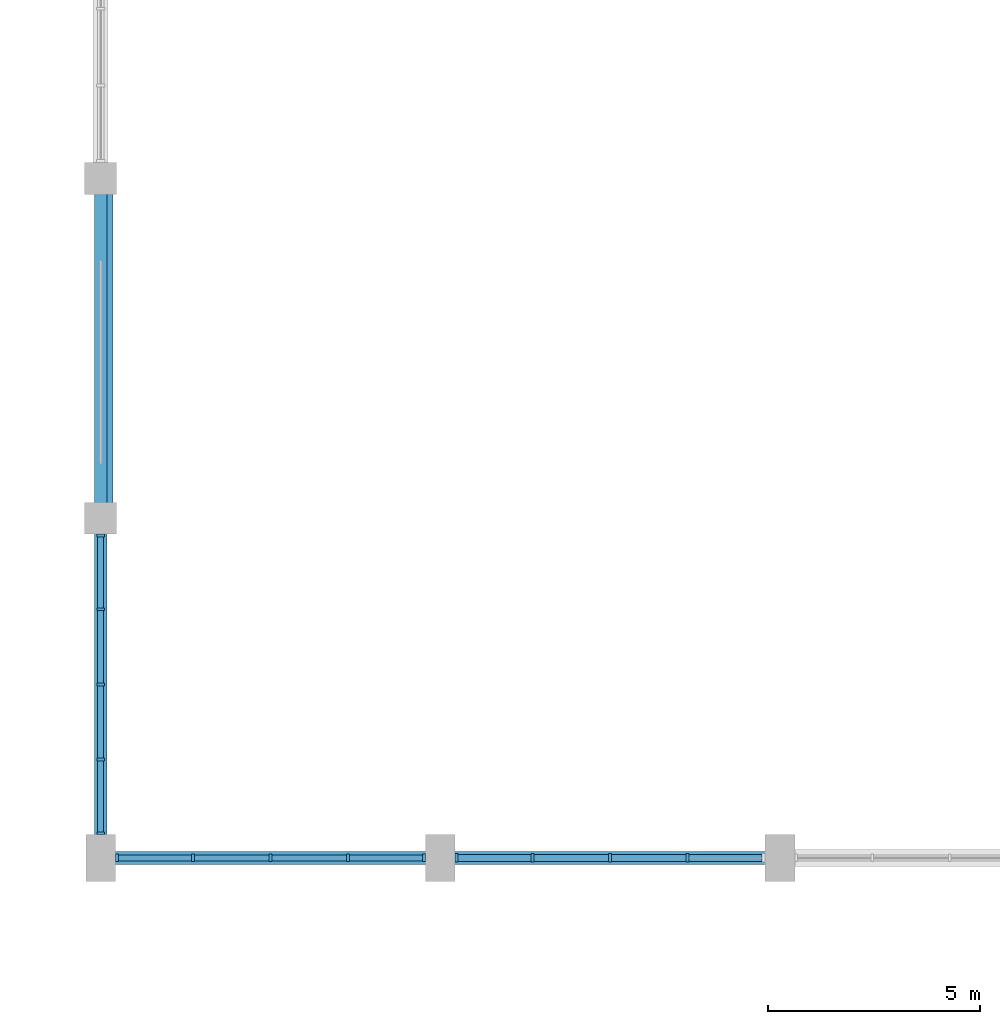
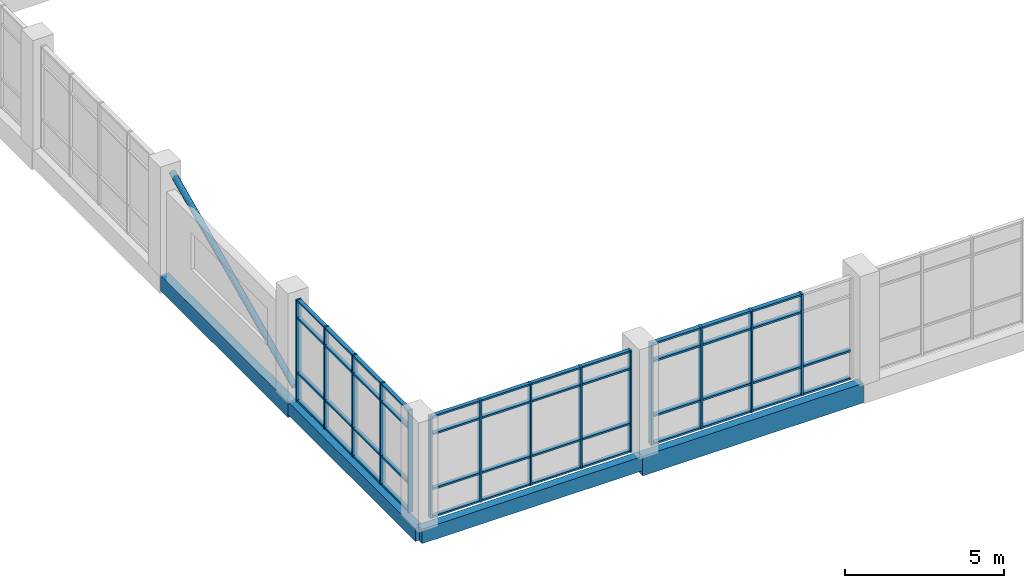
# One storey, part 2 of 72: 61 members, 4 beams, 3 elements without a shape of their own.
"""IFC4 building model written with IfcOpenShell, lengths in metres."""

from ifc_helpers import new_model, si_unit, direction, frame, origin, origin_2d, place, context, subcontext, project, spatial, rectangle, hollow_circle, extrude, material, material_profile, profile_set, type_object, element, aggregate, save


model = new_model("IFC4")

# Units and contexts
model_context = context("Model", 3, precision=1e-05, world=origin(), true_north=direction((0.0, 1.0)))
body_context = subcontext(model_context, "Body", "Model", "MODEL_VIEW")
ifc_project = project(units=[si_unit("LENGTHUNIT", "METRE"), si_unit("AREAUNIT", "SQUARE_METRE"), si_unit("VOLUMEUNIT", "CUBIC_METRE"), si_unit("PLANEANGLEUNIT", "RADIAN"), si_unit("MASSUNIT", "GRAM", prefix="KILO")], contexts=[model_context])

# Site, building, storey
site_placement = place(None, origin())
site = spatial("IfcSite", under=ifc_project, at=site_placement, CompositionType="ELEMENT")
building_placement = place(site_placement, origin())
building = spatial("IfcBuilding", under=site, at=building_placement, Name="Tenunan Teduh Sports Hall", CompositionType="ELEMENT")
storey_placement = place(building_placement, frame((0.0, 0.0, 15.0)))
storey = spatial("IfcBuildingStorey", under=building, at=storey_placement, Name="L03", CompositionType="ELEMENT", Elevation=15.0)

# Beams
ifc_material_1 = material(Name="Concrete C40/50", Category="concrete")
ifc_material_profile_1 = material_profile(ifc_material_1, rectangle(XDim=0.300048828125, YDim=0.5, at=origin_2d()), Name="RCB 300x500")
ifc_profile_set_1 = profile_set([ifc_material_profile_1], Name="Concrete C40/50")
beam_type_1 = type_object("IfcBeamType", Name="BM-RC-300x500", PredefinedType="BEAM", material=ifc_profile_set_1)
beam_1_placement = place(storey_placement, frame((6.0, 14.0, -0.489990234375), z_axis=(0.0, 1.0, 0.0), x_axis=(-1.0, 0.0, 0.0)))
element("IfcBeam", 1, at=beam_1_placement, inside=storey, type_object=beam_type_1, Name="BM-B-01-L03-1877", PredefinedType="BEAM", context=body_context, shape_type="SweptSolid", body=[
    extrude(rectangle(XDim=0.300048828125, YDim=0.5, at=origin_2d()), origin(), (0.0, 0.0, 1.0), 8.0),
])
ifc_material_2 = material(Name="Concrete C40/50", Category="concrete")
ifc_material_profile_2 = material_profile(ifc_material_2, rectangle(XDim=0.300048828125, YDim=0.550048828125, at=origin_2d()), Name="RCB 300x550")
ifc_profile_set_2 = profile_set([ifc_material_profile_2], Name="Concrete C40/50")
beam_type_2 = type_object("IfcBeamType", Name="BM-RC-300x550", PredefinedType="BEAM", material=ifc_profile_set_2)
beam_2_placement = place(storey_placement, frame((6.0, 14.0, -0.514892578125), z_axis=(1.0, 0.0, 0.0), x_axis=(0.0, 1.0, 0.0)))
element("IfcBeam", 2, at=beam_2_placement, inside=storey, type_object=beam_type_2, Name="BM-B-02-L03-1810", PredefinedType="BEAM", context=body_context, shape_type="SweptSolid", body=[
    extrude(rectangle(XDim=0.300048828125, YDim=0.550048828125, at=origin_2d()), origin(), (0.0, 0.0, 1.0), 8.0),
])
ifc_material_3 = material(Name="Concrete C40/50", Category="concrete")
ifc_material_profile_3 = material_profile(ifc_material_3, rectangle(XDim=0.300048828125, YDim=0.60009765625, at=origin_2d()), Name="RCB 300x600")
ifc_profile_set_3 = profile_set([ifc_material_profile_3], Name="Concrete C40/50")
beam_type_3 = type_object("IfcBeamType", Name="BM-RC-300x600", PredefinedType="BEAM", material=ifc_profile_set_3)
beam_3_placement = place(storey_placement, frame((6.0, 22.0, -0.5400390625), z_axis=(0.0, 1.0, 0.0), x_axis=(-1.0, 0.0, 0.0)))
element("IfcBeam", 3, at=beam_3_placement, inside=storey, type_object=beam_type_3, Name="BM-B-03-L03-1878", PredefinedType="BEAM", context=body_context, shape_type="SweptSolid", body=[
    extrude(rectangle(XDim=0.300048828125, YDim=0.60009765625, at=origin_2d()), origin(), (0.0, 0.0, 1.0), 8.0),
])
ifc_material_4 = material(Name="Concrete C40/50", Category="concrete")
ifc_material_profile_4 = material_profile(ifc_material_4, rectangle(XDim=0.300048828125, YDim=0.75, at=origin_2d()), Name="SPB 300x750")
ifc_profile_set_4 = profile_set([ifc_material_profile_4], Name="Concrete C40/50")
beam_type_4 = type_object("IfcBeamType", Name="BM-SP-300x750", PredefinedType="SPANDREL", material=ifc_profile_set_4)
beam_4_placement = place(storey_placement, frame((14.0, 14.0, -0.614990234375), z_axis=(1.0, 0.0, 0.0), x_axis=(0.0, 1.0, 0.0)))
element("IfcBeam", 4, at=beam_4_placement, inside=storey, type_object=beam_type_4, Name="BM-SP-01-L03-1811", PredefinedType="SPANDREL", context=body_context, shape_type="SweptSolid", body=[
    extrude(rectangle(XDim=0.300048828125, YDim=0.75, at=origin_2d()), origin(), (0.0, 0.0, 1.0), 8.0),
])

# Curtain wall, members
ifc_material_5 = material(Name="Anodised aluminium", Category="aluminium")
curtain_wall_type = type_object("IfcCurtainWallType", Name="CW-UNIT-2", PredefinedType="NOTDEFINED", material=ifc_material_5)
curtain_wall_1_placement = place(storey_placement, origin())
curtain_wall_1 = element("IfcCurtainWall", 5, at=curtain_wall_1_placement, inside=storey, type_object=curtain_wall_type, Name="CW-CWM-175-L03-074", PredefinedType="NOTDEFINED")
ifc_material_6 = material(Name="Anodised aluminium", Category="aluminium")
ifc_material_profile_5 = material_profile(ifc_material_6, rectangle(XDim=0.06494140625, YDim=0.175048828125, at=origin_2d()), Name="CWM 65x175")
ifc_profile_set_5 = profile_set([ifc_material_profile_5], Name="Anodised aluminium")
member_type_1 = type_object("IfcMemberType", Name="CWM-175", PredefinedType="MULLION", material=ifc_profile_set_5)
member_1_placement = place(storey_placement, frame((6.382568359375, 14.0, 0.0), z_axis=(0.0, 0.0, 1.0), x_axis=(1.0, 0.0, 0.0)))
member_1 = element("IfcMember", 6, at=member_1_placement, type_object=member_type_1, Name="CW-02 mullion 1", PredefinedType="MULLION", context=body_context, shape_type="SweptSolid", body=[
    extrude(rectangle(XDim=0.06494140625, YDim=0.175048828125, at=origin_2d()), origin(), (0.0, 0.0, 1.0), 3.89990234375),
])
member_2_placement = place(storey_placement, frame((8.175048828125, 14.0, 0.0), z_axis=(0.0, 0.0, 1.0), x_axis=(1.0, 0.0, 0.0)))
member_2 = element("IfcMember", 7, at=member_2_placement, type_object=member_type_1, Name="CW-02 mullion 2", PredefinedType="MULLION", context=body_context, shape_type="SweptSolid", body=[
    extrude(rectangle(XDim=0.06494140625, YDim=0.175048828125, at=origin_2d()), origin(), (0.0, 0.0, 1.0), 3.89990234375),
])
member_3_placement = place(storey_placement, frame((10.0, 14.0, 0.0), z_axis=(0.0, 0.0, 1.0), x_axis=(1.0, 0.0, 0.0)))
member_3 = element("IfcMember", 8, at=member_3_placement, type_object=member_type_1, Name="CW-02 mullion 3", PredefinedType="MULLION", context=body_context, shape_type="SweptSolid", body=[
    extrude(rectangle(XDim=0.06494140625, YDim=0.175048828125, at=origin_2d()), origin(), (0.0, 0.0, 1.0), 3.89990234375),
])
member_4_placement = place(storey_placement, frame((11.824951171875, 14.0, 0.0), z_axis=(0.0, 0.0, 1.0), x_axis=(1.0, 0.0, 0.0)))
member_4 = element("IfcMember", 9, at=member_4_placement, type_object=member_type_1, Name="CW-02 mullion 4", PredefinedType="MULLION", context=body_context, shape_type="SweptSolid", body=[
    extrude(rectangle(XDim=0.06494140625, YDim=0.175048828125, at=origin_2d()), origin(), (0.0, 0.0, 1.0), 3.89990234375),
])
member_5_placement = place(storey_placement, frame((13.617431640625, 14.0, 0.0), z_axis=(0.0, 0.0, 1.0), x_axis=(1.0, 0.0, 0.0)))
member_5 = element("IfcMember", 10, at=member_5_placement, type_object=member_type_1, Name="CW-02 mullion 5", PredefinedType="MULLION", context=body_context, shape_type="SweptSolid", body=[
    extrude(rectangle(XDim=0.06494140625, YDim=0.175048828125, at=origin_2d()), origin(), (0.0, 0.0, 1.0), 3.89990234375),
])

curtain_wall_2_placement = place(storey_placement, origin())
curtain_wall_2 = element("IfcCurtainWall", 11, at=curtain_wall_2_placement, inside=storey, type_object=curtain_wall_type, Name="CW-CWM-175-L03-086", PredefinedType="NOTDEFINED")
member_6_placement = place(storey_placement, frame((6.0, 14.58251953125, 0.0), z_axis=(0.0, 0.0, 1.0), x_axis=(0.0, 1.0, 0.0)))
member_6 = element("IfcMember", 12, at=member_6_placement, type_object=member_type_1, Name="CW-02 mullion 1", PredefinedType="MULLION", context=body_context, shape_type="SweptSolid", body=[
    extrude(rectangle(XDim=0.06494140625, YDim=0.175048828125, at=origin_2d()), origin(), (0.0, 0.0, 1.0), 3.89990234375),
])
member_7_placement = place(storey_placement, frame((6.0, 16.31884765625, 0.0), z_axis=(0.0, 0.0, 1.0), x_axis=(0.0, 1.0, 0.0)))
member_7 = element("IfcMember", 13, at=member_7_placement, type_object=member_type_1, Name="CW-02 mullion 2", PredefinedType="MULLION", context=body_context, shape_type="SweptSolid", body=[
    extrude(rectangle(XDim=0.06494140625, YDim=0.175048828125, at=origin_2d()), origin(), (0.0, 0.0, 1.0), 3.89990234375),
])
member_8_placement = place(storey_placement, frame((6.0, 18.08740234375, 0.0), z_axis=(0.0, 0.0, 1.0), x_axis=(0.0, 1.0, 0.0)))
member_8 = element("IfcMember", 14, at=member_8_placement, type_object=member_type_1, Name="CW-02 mullion 3", PredefinedType="MULLION", context=body_context, shape_type="SweptSolid", body=[
    extrude(rectangle(XDim=0.06494140625, YDim=0.175048828125, at=origin_2d()), origin(), (0.0, 0.0, 1.0), 3.89990234375),
])
member_9_placement = place(storey_placement, frame((6.0, 19.856201171875, 0.0), z_axis=(0.0, 0.0, 1.0), x_axis=(0.0, 1.0, 0.0)))
member_9 = element("IfcMember", 15, at=member_9_placement, type_object=member_type_1, Name="CW-02 mullion 4", PredefinedType="MULLION", context=body_context, shape_type="SweptSolid", body=[
    extrude(rectangle(XDim=0.06494140625, YDim=0.175048828125, at=origin_2d()), origin(), (0.0, 0.0, 1.0), 3.89990234375),
])
member_10_placement = place(storey_placement, frame((6.0, 21.592529296875, 0.0), z_axis=(0.0, 0.0, 1.0), x_axis=(0.0, 1.0, 0.0)))
member_10 = element("IfcMember", 16, at=member_10_placement, type_object=member_type_1, Name="CW-02 mullion 5", PredefinedType="MULLION", context=body_context, shape_type="SweptSolid", body=[
    extrude(rectangle(XDim=0.06494140625, YDim=0.175048828125, at=origin_2d()), origin(), (0.0, 0.0, 1.0), 3.89990234375),
])

curtain_wall_3_placement = place(storey_placement, origin())
curtain_wall_3 = element("IfcCurtainWall", 17, at=curtain_wall_3_placement, inside=storey, type_object=curtain_wall_type, Name="CW-CWM-200-L03-076", PredefinedType="NOTDEFINED")
ifc_material_7 = material(Name="Anodised aluminium", Category="aluminium")
ifc_material_profile_6 = material_profile(ifc_material_7, rectangle(XDim=0.070068359375, YDim=0.199951171875, at=origin_2d()), Name="CWM 70x200")
ifc_profile_set_6 = profile_set([ifc_material_profile_6], Name="Anodised aluminium")
member_type_2 = type_object("IfcMemberType", Name="CWM-200", PredefinedType="MULLION", material=ifc_profile_set_6)
member_11_placement = place(storey_placement, frame((14.385009765625, 14.0, 0.0), z_axis=(0.0, 0.0, 1.0), x_axis=(1.0, 0.0, 0.0)))
member_11 = element("IfcMember", 18, at=member_11_placement, type_object=member_type_2, Name="CW-02 mullion 1", PredefinedType="MULLION", context=body_context, shape_type="SweptSolid", body=[
    extrude(rectangle(XDim=0.070068359375, YDim=0.199951171875, at=origin_2d()), origin(), (0.0, 0.0, 1.0), 3.89990234375),
])
member_12_placement = place(storey_placement, frame((16.175048828125, 14.0, 0.0), z_axis=(0.0, 0.0, 1.0), x_axis=(1.0, 0.0, 0.0)))
member_12 = element("IfcMember", 19, at=member_12_placement, type_object=member_type_2, Name="CW-02 mullion 2", PredefinedType="MULLION", context=body_context, shape_type="SweptSolid", body=[
    extrude(rectangle(XDim=0.070068359375, YDim=0.199951171875, at=origin_2d()), origin(), (0.0, 0.0, 1.0), 3.89990234375),
])
member_13_placement = place(storey_placement, frame((18.0, 14.0, 0.0), z_axis=(0.0, 0.0, 1.0), x_axis=(1.0, 0.0, 0.0)))
member_13 = element("IfcMember", 20, at=member_13_placement, type_object=member_type_2, Name="CW-02 mullion 3", PredefinedType="MULLION", context=body_context, shape_type="SweptSolid", body=[
    extrude(rectangle(XDim=0.070068359375, YDim=0.199951171875, at=origin_2d()), origin(), (0.0, 0.0, 1.0), 3.89990234375),
])
member_14_placement = place(storey_placement, frame((19.824951171875, 14.0, 0.0), z_axis=(0.0, 0.0, 1.0), x_axis=(1.0, 0.0, 0.0)))
member_14 = element("IfcMember", 21, at=member_14_placement, type_object=member_type_2, Name="CW-02 mullion 4", PredefinedType="MULLION", context=body_context, shape_type="SweptSolid", body=[
    extrude(rectangle(XDim=0.070068359375, YDim=0.199951171875, at=origin_2d()), origin(), (0.0, 0.0, 1.0), 3.89990234375),
])

# Member
ifc_material_8 = material(Name="Anodised aluminium", Category="aluminium")
ifc_material_profile_7 = material_profile(ifc_material_8, rectangle(XDim=0.06494140625, YDim=0.139892578125, at=origin_2d()), Name="CWT 65x140")
ifc_profile_set_7 = profile_set([ifc_material_profile_7], Name="Anodised aluminium")
member_type_3 = type_object("IfcMemberType", Name="CWT-150", PredefinedType="USERDEFINED", material=ifc_profile_set_7)
member_15_placement = place(storey_placement, frame((6.4150390625, 14.0, 0.032470703125), z_axis=(1.0, 0.0, 0.0), x_axis=(0.0, 0.0, 1.0)))
member_15 = element("IfcMember", 22, at=member_15_placement, type_object=member_type_3, Name="CW-02 transom 1.1", ObjectType="TRANSOM", PredefinedType="USERDEFINED", context=body_context, shape_type="SweptSolid", body=[
    extrude(rectangle(XDim=0.06494140625, YDim=0.139892578125, at=origin_2d()), origin(), (0.0, 0.0, 1.0), 1.7275390625),
])

member_16_placement = place(storey_placement, frame((6.4150390625, 14.0, 1.10009765625), z_axis=(1.0, 0.0, 0.0), x_axis=(0.0, 0.0, 1.0)))
member_16 = element("IfcMember", 23, at=member_16_placement, type_object=member_type_3, Name="CW-02 transom 1.2", ObjectType="TRANSOM", PredefinedType="USERDEFINED", context=body_context, shape_type="SweptSolid", body=[
    extrude(rectangle(XDim=0.06494140625, YDim=0.139892578125, at=origin_2d()), origin(), (0.0, 0.0, 1.0), 1.7275390625),
])

member_17_placement = place(storey_placement, frame((6.4150390625, 14.0, 3.199951171875), z_axis=(1.0, 0.0, 0.0), x_axis=(0.0, 0.0, 1.0)))
member_17 = element("IfcMember", 24, at=member_17_placement, type_object=member_type_3, Name="CW-02 transom 1.3", ObjectType="TRANSOM", PredefinedType="USERDEFINED", context=body_context, shape_type="SweptSolid", body=[
    extrude(rectangle(XDim=0.06494140625, YDim=0.139892578125, at=origin_2d()), origin(), (0.0, 0.0, 1.0), 1.7275390625),
])

member_18_placement = place(storey_placement, frame((6.4150390625, 14.0, 3.867431640625), z_axis=(1.0, 0.0, 0.0), x_axis=(0.0, 0.0, 1.0)))
member_18 = element("IfcMember", 25, at=member_18_placement, type_object=member_type_3, Name="CW-02 transom 1.4", ObjectType="TRANSOM", PredefinedType="USERDEFINED", context=body_context, shape_type="SweptSolid", body=[
    extrude(rectangle(XDim=0.06494140625, YDim=0.139892578125, at=origin_2d()), origin(), (0.0, 0.0, 1.0), 1.7275390625),
])

member_19_placement = place(storey_placement, frame((8.20751953125, 14.0, 0.032470703125), z_axis=(1.0, 0.0, 0.0), x_axis=(0.0, 0.0, 1.0)))
member_19 = element("IfcMember", 26, at=member_19_placement, type_object=member_type_3, Name="CW-02 transom 2.1", ObjectType="TRANSOM", PredefinedType="USERDEFINED", context=body_context, shape_type="SweptSolid", body=[
    extrude(rectangle(XDim=0.06494140625, YDim=0.139892578125, at=origin_2d()), origin(), (0.0, 0.0, 1.0), 1.760009765625),
])

member_20_placement = place(storey_placement, frame((8.20751953125, 14.0, 1.10009765625), z_axis=(1.0, 0.0, 0.0), x_axis=(0.0, 0.0, 1.0)))
member_20 = element("IfcMember", 27, at=member_20_placement, type_object=member_type_3, Name="CW-02 transom 2.2", ObjectType="TRANSOM", PredefinedType="USERDEFINED", context=body_context, shape_type="SweptSolid", body=[
    extrude(rectangle(XDim=0.06494140625, YDim=0.139892578125, at=origin_2d()), origin(), (0.0, 0.0, 1.0), 1.760009765625),
])

member_21_placement = place(storey_placement, frame((8.20751953125, 14.0, 3.199951171875), z_axis=(1.0, 0.0, 0.0), x_axis=(0.0, 0.0, 1.0)))
member_21 = element("IfcMember", 28, at=member_21_placement, type_object=member_type_3, Name="CW-02 transom 2.3", ObjectType="TRANSOM", PredefinedType="USERDEFINED", context=body_context, shape_type="SweptSolid", body=[
    extrude(rectangle(XDim=0.06494140625, YDim=0.139892578125, at=origin_2d()), origin(), (0.0, 0.0, 1.0), 1.760009765625),
])

member_22_placement = place(storey_placement, frame((8.20751953125, 14.0, 3.867431640625), z_axis=(1.0, 0.0, 0.0), x_axis=(0.0, 0.0, 1.0)))
member_22 = element("IfcMember", 29, at=member_22_placement, type_object=member_type_3, Name="CW-02 transom 2.4", ObjectType="TRANSOM", PredefinedType="USERDEFINED", context=body_context, shape_type="SweptSolid", body=[
    extrude(rectangle(XDim=0.06494140625, YDim=0.139892578125, at=origin_2d()), origin(), (0.0, 0.0, 1.0), 1.760009765625),
])

member_23_placement = place(storey_placement, frame((10.032470703125, 14.0, 0.032470703125), z_axis=(1.0, 0.0, 0.0), x_axis=(0.0, 0.0, 1.0)))
member_23 = element("IfcMember", 30, at=member_23_placement, type_object=member_type_3, Name="CW-02 transom 3.1", ObjectType="TRANSOM", PredefinedType="USERDEFINED", context=body_context, shape_type="SweptSolid", body=[
    extrude(rectangle(XDim=0.06494140625, YDim=0.139892578125, at=origin_2d()), origin(), (0.0, 0.0, 1.0), 1.760009765625),
])

member_24_placement = place(storey_placement, frame((10.032470703125, 14.0, 1.10009765625), z_axis=(1.0, 0.0, 0.0), x_axis=(0.0, 0.0, 1.0)))
member_24 = element("IfcMember", 31, at=member_24_placement, type_object=member_type_3, Name="CW-02 transom 3.2", ObjectType="TRANSOM", PredefinedType="USERDEFINED", context=body_context, shape_type="SweptSolid", body=[
    extrude(rectangle(XDim=0.06494140625, YDim=0.139892578125, at=origin_2d()), origin(), (0.0, 0.0, 1.0), 1.760009765625),
])

member_25_placement = place(storey_placement, frame((10.032470703125, 14.0, 3.199951171875), z_axis=(1.0, 0.0, 0.0), x_axis=(0.0, 0.0, 1.0)))
member_25 = element("IfcMember", 32, at=member_25_placement, type_object=member_type_3, Name="CW-02 transom 3.3", ObjectType="TRANSOM", PredefinedType="USERDEFINED", context=body_context, shape_type="SweptSolid", body=[
    extrude(rectangle(XDim=0.06494140625, YDim=0.139892578125, at=origin_2d()), origin(), (0.0, 0.0, 1.0), 1.760009765625),
])

member_26_placement = place(storey_placement, frame((10.032470703125, 14.0, 3.867431640625), z_axis=(1.0, 0.0, 0.0), x_axis=(0.0, 0.0, 1.0)))
member_26 = element("IfcMember", 33, at=member_26_placement, type_object=member_type_3, Name="CW-02 transom 3.4", ObjectType="TRANSOM", PredefinedType="USERDEFINED", context=body_context, shape_type="SweptSolid", body=[
    extrude(rectangle(XDim=0.06494140625, YDim=0.139892578125, at=origin_2d()), origin(), (0.0, 0.0, 1.0), 1.760009765625),
])

member_27_placement = place(storey_placement, frame((11.857421875, 14.0, 0.032470703125), z_axis=(1.0, 0.0, 0.0), x_axis=(0.0, 0.0, 1.0)))
member_27 = element("IfcMember", 34, at=member_27_placement, type_object=member_type_3, Name="CW-02 transom 4.1", ObjectType="TRANSOM", PredefinedType="USERDEFINED", context=body_context, shape_type="SweptSolid", body=[
    extrude(rectangle(XDim=0.06494140625, YDim=0.139892578125, at=origin_2d()), origin(), (0.0, 0.0, 1.0), 1.7275390625),
])

member_28_placement = place(storey_placement, frame((11.857421875, 14.0, 1.10009765625), z_axis=(1.0, 0.0, 0.0), x_axis=(0.0, 0.0, 1.0)))
member_28 = element("IfcMember", 35, at=member_28_placement, type_object=member_type_3, Name="CW-02 transom 4.2", ObjectType="TRANSOM", PredefinedType="USERDEFINED", context=body_context, shape_type="SweptSolid", body=[
    extrude(rectangle(XDim=0.06494140625, YDim=0.139892578125, at=origin_2d()), origin(), (0.0, 0.0, 1.0), 1.7275390625),
])

member_29_placement = place(storey_placement, frame((11.857421875, 14.0, 3.199951171875), z_axis=(1.0, 0.0, 0.0), x_axis=(0.0, 0.0, 1.0)))
member_29 = element("IfcMember", 36, at=member_29_placement, type_object=member_type_3, Name="CW-02 transom 4.3", ObjectType="TRANSOM", PredefinedType="USERDEFINED", context=body_context, shape_type="SweptSolid", body=[
    extrude(rectangle(XDim=0.06494140625, YDim=0.139892578125, at=origin_2d()), origin(), (0.0, 0.0, 1.0), 1.7275390625),
])

member_30_placement = place(storey_placement, frame((11.857421875, 14.0, 3.867431640625), z_axis=(1.0, 0.0, 0.0), x_axis=(0.0, 0.0, 1.0)))
member_30 = element("IfcMember", 37, at=member_30_placement, type_object=member_type_3, Name="CW-02 transom 4.4", ObjectType="TRANSOM", PredefinedType="USERDEFINED", context=body_context, shape_type="SweptSolid", body=[
    extrude(rectangle(XDim=0.06494140625, YDim=0.139892578125, at=origin_2d()), origin(), (0.0, 0.0, 1.0), 1.7275390625),
])

aggregate(curtain_wall_1, [member_1, member_2, member_3, member_4, member_5, member_15, member_16, member_17, member_18, member_19, member_20, member_21, member_22, member_23, member_24, member_25, member_26, member_27, member_28, member_29, member_30])

member_31_placement = place(storey_placement, frame((6.0, 14.614990234375, 0.032470703125), z_axis=(0.0, 1.0, 0.0), x_axis=(0.0, 0.0, 1.0)))
member_31 = element("IfcMember", 38, at=member_31_placement, type_object=member_type_3, Name="CW-02 transom 1.1", ObjectType="TRANSOM", PredefinedType="USERDEFINED", context=body_context, shape_type="SweptSolid", body=[
    extrude(rectangle(XDim=0.06494140625, YDim=0.139892578125, at=origin_2d()), origin(), (0.0, 0.0, 1.0), 1.671142578125),
])

member_32_placement = place(storey_placement, frame((6.0, 14.614990234375, 1.10009765625), z_axis=(0.0, 1.0, 0.0), x_axis=(0.0, 0.0, 1.0)))
member_32 = element("IfcMember", 39, at=member_32_placement, type_object=member_type_3, Name="CW-02 transom 1.2", ObjectType="TRANSOM", PredefinedType="USERDEFINED", context=body_context, shape_type="SweptSolid", body=[
    extrude(rectangle(XDim=0.06494140625, YDim=0.139892578125, at=origin_2d()), origin(), (0.0, 0.0, 1.0), 1.671142578125),
])

member_33_placement = place(storey_placement, frame((6.0, 14.614990234375, 3.199951171875), z_axis=(0.0, 1.0, 0.0), x_axis=(0.0, 0.0, 1.0)))
member_33 = element("IfcMember", 40, at=member_33_placement, type_object=member_type_3, Name="CW-02 transom 1.3", ObjectType="TRANSOM", PredefinedType="USERDEFINED", context=body_context, shape_type="SweptSolid", body=[
    extrude(rectangle(XDim=0.06494140625, YDim=0.139892578125, at=origin_2d()), origin(), (0.0, 0.0, 1.0), 1.671142578125),
])

member_34_placement = place(storey_placement, frame((6.0, 14.614990234375, 3.867431640625), z_axis=(0.0, 1.0, 0.0), x_axis=(0.0, 0.0, 1.0)))
member_34 = element("IfcMember", 41, at=member_34_placement, type_object=member_type_3, Name="CW-02 transom 1.4", ObjectType="TRANSOM", PredefinedType="USERDEFINED", context=body_context, shape_type="SweptSolid", body=[
    extrude(rectangle(XDim=0.06494140625, YDim=0.139892578125, at=origin_2d()), origin(), (0.0, 0.0, 1.0), 1.671142578125),
])

member_35_placement = place(storey_placement, frame((6.0, 16.351318359375, 0.032470703125), z_axis=(0.0, 1.0, 0.0), x_axis=(0.0, 0.0, 1.0)))
member_35 = element("IfcMember", 42, at=member_35_placement, type_object=member_type_3, Name="CW-02 transom 2.1", ObjectType="TRANSOM", PredefinedType="USERDEFINED", context=body_context, shape_type="SweptSolid", body=[
    extrude(rectangle(XDim=0.06494140625, YDim=0.139892578125, at=origin_2d()), origin(), (0.0, 0.0, 1.0), 1.70361328125),
])

member_36_placement = place(storey_placement, frame((6.0, 16.351318359375, 1.10009765625), z_axis=(0.0, 1.0, 0.0), x_axis=(0.0, 0.0, 1.0)))
member_36 = element("IfcMember", 43, at=member_36_placement, type_object=member_type_3, Name="CW-02 transom 2.2", ObjectType="TRANSOM", PredefinedType="USERDEFINED", context=body_context, shape_type="SweptSolid", body=[
    extrude(rectangle(XDim=0.06494140625, YDim=0.139892578125, at=origin_2d()), origin(), (0.0, 0.0, 1.0), 1.70361328125),
])

member_37_placement = place(storey_placement, frame((6.0, 16.351318359375, 3.199951171875), z_axis=(0.0, 1.0, 0.0), x_axis=(0.0, 0.0, 1.0)))
member_37 = element("IfcMember", 44, at=member_37_placement, type_object=member_type_3, Name="CW-02 transom 2.3", ObjectType="TRANSOM", PredefinedType="USERDEFINED", context=body_context, shape_type="SweptSolid", body=[
    extrude(rectangle(XDim=0.06494140625, YDim=0.139892578125, at=origin_2d()), origin(), (0.0, 0.0, 1.0), 1.70361328125),
])

member_38_placement = place(storey_placement, frame((6.0, 16.351318359375, 3.867431640625), z_axis=(0.0, 1.0, 0.0), x_axis=(0.0, 0.0, 1.0)))
member_38 = element("IfcMember", 45, at=member_38_placement, type_object=member_type_3, Name="CW-02 transom 2.4", ObjectType="TRANSOM", PredefinedType="USERDEFINED", context=body_context, shape_type="SweptSolid", body=[
    extrude(rectangle(XDim=0.06494140625, YDim=0.139892578125, at=origin_2d()), origin(), (0.0, 0.0, 1.0), 1.70361328125),
])

member_39_placement = place(storey_placement, frame((6.0, 18.1201171875, 0.032470703125), z_axis=(0.0, 1.0, 0.0), x_axis=(0.0, 0.0, 1.0)))
member_39 = element("IfcMember", 46, at=member_39_placement, type_object=member_type_3, Name="CW-02 transom 3.1", ObjectType="TRANSOM", PredefinedType="USERDEFINED", context=body_context, shape_type="SweptSolid", body=[
    extrude(rectangle(XDim=0.06494140625, YDim=0.139892578125, at=origin_2d()), origin(), (0.0, 0.0, 1.0), 1.70361328125),
])

member_40_placement = place(storey_placement, frame((6.0, 18.1201171875, 1.10009765625), z_axis=(0.0, 1.0, 0.0), x_axis=(0.0, 0.0, 1.0)))
member_40 = element("IfcMember", 47, at=member_40_placement, type_object=member_type_3, Name="CW-02 transom 3.2", ObjectType="TRANSOM", PredefinedType="USERDEFINED", context=body_context, shape_type="SweptSolid", body=[
    extrude(rectangle(XDim=0.06494140625, YDim=0.139892578125, at=origin_2d()), origin(), (0.0, 0.0, 1.0), 1.70361328125),
])

member_41_placement = place(storey_placement, frame((6.0, 18.1201171875, 3.199951171875), z_axis=(0.0, 1.0, 0.0), x_axis=(0.0, 0.0, 1.0)))
member_41 = element("IfcMember", 48, at=member_41_placement, type_object=member_type_3, Name="CW-02 transom 3.3", ObjectType="TRANSOM", PredefinedType="USERDEFINED", context=body_context, shape_type="SweptSolid", body=[
    extrude(rectangle(XDim=0.06494140625, YDim=0.139892578125, at=origin_2d()), origin(), (0.0, 0.0, 1.0), 1.70361328125),
])

member_42_placement = place(storey_placement, frame((6.0, 18.1201171875, 3.867431640625), z_axis=(0.0, 1.0, 0.0), x_axis=(0.0, 0.0, 1.0)))
member_42 = element("IfcMember", 49, at=member_42_placement, type_object=member_type_3, Name="CW-02 transom 3.4", ObjectType="TRANSOM", PredefinedType="USERDEFINED", context=body_context, shape_type="SweptSolid", body=[
    extrude(rectangle(XDim=0.06494140625, YDim=0.139892578125, at=origin_2d()), origin(), (0.0, 0.0, 1.0), 1.70361328125),
])

member_43_placement = place(storey_placement, frame((6.0, 19.888671875, 0.032470703125), z_axis=(0.0, 1.0, 0.0), x_axis=(0.0, 0.0, 1.0)))
member_43 = element("IfcMember", 50, at=member_43_placement, type_object=member_type_3, Name="CW-02 transom 4.1", ObjectType="TRANSOM", PredefinedType="USERDEFINED", context=body_context, shape_type="SweptSolid", body=[
    extrude(rectangle(XDim=0.06494140625, YDim=0.139892578125, at=origin_2d()), origin(), (0.0, 0.0, 1.0), 1.67138671875),
])

member_44_placement = place(storey_placement, frame((6.0, 19.888671875, 1.10009765625), z_axis=(0.0, 1.0, 0.0), x_axis=(0.0, 0.0, 1.0)))
member_44 = element("IfcMember", 51, at=member_44_placement, type_object=member_type_3, Name="CW-02 transom 4.2", ObjectType="TRANSOM", PredefinedType="USERDEFINED", context=body_context, shape_type="SweptSolid", body=[
    extrude(rectangle(XDim=0.06494140625, YDim=0.139892578125, at=origin_2d()), origin(), (0.0, 0.0, 1.0), 1.67138671875),
])

member_45_placement = place(storey_placement, frame((6.0, 19.888671875, 3.199951171875), z_axis=(0.0, 1.0, 0.0), x_axis=(0.0, 0.0, 1.0)))
member_45 = element("IfcMember", 52, at=member_45_placement, type_object=member_type_3, Name="CW-02 transom 4.3", ObjectType="TRANSOM", PredefinedType="USERDEFINED", context=body_context, shape_type="SweptSolid", body=[
    extrude(rectangle(XDim=0.06494140625, YDim=0.139892578125, at=origin_2d()), origin(), (0.0, 0.0, 1.0), 1.67138671875),
])

member_46_placement = place(storey_placement, frame((6.0, 19.888671875, 3.867431640625), z_axis=(0.0, 1.0, 0.0), x_axis=(0.0, 0.0, 1.0)))
member_46 = element("IfcMember", 53, at=member_46_placement, type_object=member_type_3, Name="CW-02 transom 4.4", ObjectType="TRANSOM", PredefinedType="USERDEFINED", context=body_context, shape_type="SweptSolid", body=[
    extrude(rectangle(XDim=0.06494140625, YDim=0.139892578125, at=origin_2d()), origin(), (0.0, 0.0, 1.0), 1.67138671875),
])

aggregate(curtain_wall_2, [member_6, member_7, member_8, member_9, member_10, member_31, member_32, member_33, member_34, member_35, member_36, member_37, member_38, member_39, member_40, member_41, member_42, member_43, member_44, member_45, member_46])

ifc_material_9 = material(Name="Anodised aluminium", Category="aluminium")
ifc_material_profile_8 = material_profile(ifc_material_9, rectangle(XDim=0.070068359375, YDim=0.159912109375, at=origin_2d()), Name="CWT 70x160")
ifc_profile_set_8 = profile_set([ifc_material_profile_8], Name="Anodised aluminium")
member_type_4 = type_object("IfcMemberType", Name="CWT-200", PredefinedType="USERDEFINED", material=ifc_profile_set_8)
member_47_placement = place(storey_placement, frame((14.419921875, 14.0, 0.034912109375), z_axis=(1.0, 0.0, 0.0), x_axis=(0.0, 0.0, 1.0)))
member_47 = element("IfcMember", 54, at=member_47_placement, type_object=member_type_4, Name="CW-02 transom 1.1", ObjectType="TRANSOM", PredefinedType="USERDEFINED", context=body_context, shape_type="SweptSolid", body=[
    extrude(rectangle(XDim=0.070068359375, YDim=0.159912109375, at=origin_2d()), origin(), (0.0, 0.0, 1.0), 1.719970703125),
])

member_48_placement = place(storey_placement, frame((14.419921875, 14.0, 1.10009765625), z_axis=(1.0, 0.0, 0.0), x_axis=(0.0, 0.0, 1.0)))
member_48 = element("IfcMember", 55, at=member_48_placement, type_object=member_type_4, Name="CW-02 transom 1.2", ObjectType="TRANSOM", PredefinedType="USERDEFINED", context=body_context, shape_type="SweptSolid", body=[
    extrude(rectangle(XDim=0.070068359375, YDim=0.159912109375, at=origin_2d()), origin(), (0.0, 0.0, 1.0), 1.719970703125),
])

member_49_placement = place(storey_placement, frame((14.419921875, 14.0, 3.199951171875), z_axis=(1.0, 0.0, 0.0), x_axis=(0.0, 0.0, 1.0)))
member_49 = element("IfcMember", 56, at=member_49_placement, type_object=member_type_4, Name="CW-02 transom 1.3", ObjectType="TRANSOM", PredefinedType="USERDEFINED", context=body_context, shape_type="SweptSolid", body=[
    extrude(rectangle(XDim=0.070068359375, YDim=0.159912109375, at=origin_2d()), origin(), (0.0, 0.0, 1.0), 1.719970703125),
])

member_50_placement = place(storey_placement, frame((14.419921875, 14.0, 3.864990234375), z_axis=(1.0, 0.0, 0.0), x_axis=(0.0, 0.0, 1.0)))
member_50 = element("IfcMember", 57, at=member_50_placement, type_object=member_type_4, Name="CW-02 transom 1.4", ObjectType="TRANSOM", PredefinedType="USERDEFINED", context=body_context, shape_type="SweptSolid", body=[
    extrude(rectangle(XDim=0.070068359375, YDim=0.159912109375, at=origin_2d()), origin(), (0.0, 0.0, 1.0), 1.719970703125),
])

member_51_placement = place(storey_placement, frame((16.2099609375, 14.0, 0.034912109375), z_axis=(1.0, 0.0, 0.0), x_axis=(0.0, 0.0, 1.0)))
member_51 = element("IfcMember", 58, at=member_51_placement, type_object=member_type_4, Name="CW-02 transom 2.1", ObjectType="TRANSOM", PredefinedType="USERDEFINED", context=body_context, shape_type="SweptSolid", body=[
    extrude(rectangle(XDim=0.070068359375, YDim=0.159912109375, at=origin_2d()), origin(), (0.0, 0.0, 1.0), 1.755126953125),
])

member_52_placement = place(storey_placement, frame((16.2099609375, 14.0, 1.10009765625), z_axis=(1.0, 0.0, 0.0), x_axis=(0.0, 0.0, 1.0)))
member_52 = element("IfcMember", 59, at=member_52_placement, type_object=member_type_4, Name="CW-02 transom 2.2", ObjectType="TRANSOM", PredefinedType="USERDEFINED", context=body_context, shape_type="SweptSolid", body=[
    extrude(rectangle(XDim=0.070068359375, YDim=0.159912109375, at=origin_2d()), origin(), (0.0, 0.0, 1.0), 1.755126953125),
])

member_53_placement = place(storey_placement, frame((16.2099609375, 14.0, 3.199951171875), z_axis=(1.0, 0.0, 0.0), x_axis=(0.0, 0.0, 1.0)))
member_53 = element("IfcMember", 60, at=member_53_placement, type_object=member_type_4, Name="CW-02 transom 2.3", ObjectType="TRANSOM", PredefinedType="USERDEFINED", context=body_context, shape_type="SweptSolid", body=[
    extrude(rectangle(XDim=0.070068359375, YDim=0.159912109375, at=origin_2d()), origin(), (0.0, 0.0, 1.0), 1.755126953125),
])

member_54_placement = place(storey_placement, frame((16.2099609375, 14.0, 3.864990234375), z_axis=(1.0, 0.0, 0.0), x_axis=(0.0, 0.0, 1.0)))
member_54 = element("IfcMember", 61, at=member_54_placement, type_object=member_type_4, Name="CW-02 transom 2.4", ObjectType="TRANSOM", PredefinedType="USERDEFINED", context=body_context, shape_type="SweptSolid", body=[
    extrude(rectangle(XDim=0.070068359375, YDim=0.159912109375, at=origin_2d()), origin(), (0.0, 0.0, 1.0), 1.755126953125),
])

member_55_placement = place(storey_placement, frame((18.034912109375, 14.0, 0.034912109375), z_axis=(1.0, 0.0, 0.0), x_axis=(0.0, 0.0, 1.0)))
member_55 = element("IfcMember", 62, at=member_55_placement, type_object=member_type_4, Name="CW-02 transom 3.1", ObjectType="TRANSOM", PredefinedType="USERDEFINED", context=body_context, shape_type="SweptSolid", body=[
    extrude(rectangle(XDim=0.070068359375, YDim=0.159912109375, at=origin_2d()), origin(), (0.0, 0.0, 1.0), 1.755126953125),
])

member_56_placement = place(storey_placement, frame((18.034912109375, 14.0, 1.10009765625), z_axis=(1.0, 0.0, 0.0), x_axis=(0.0, 0.0, 1.0)))
member_56 = element("IfcMember", 63, at=member_56_placement, type_object=member_type_4, Name="CW-02 transom 3.2", ObjectType="TRANSOM", PredefinedType="USERDEFINED", context=body_context, shape_type="SweptSolid", body=[
    extrude(rectangle(XDim=0.070068359375, YDim=0.159912109375, at=origin_2d()), origin(), (0.0, 0.0, 1.0), 1.755126953125),
])

member_57_placement = place(storey_placement, frame((18.034912109375, 14.0, 3.199951171875), z_axis=(1.0, 0.0, 0.0), x_axis=(0.0, 0.0, 1.0)))
member_57 = element("IfcMember", 64, at=member_57_placement, type_object=member_type_4, Name="CW-02 transom 3.3", ObjectType="TRANSOM", PredefinedType="USERDEFINED", context=body_context, shape_type="SweptSolid", body=[
    extrude(rectangle(XDim=0.070068359375, YDim=0.159912109375, at=origin_2d()), origin(), (0.0, 0.0, 1.0), 1.755126953125),
])

member_58_placement = place(storey_placement, frame((18.034912109375, 14.0, 3.864990234375), z_axis=(1.0, 0.0, 0.0), x_axis=(0.0, 0.0, 1.0)))
member_58 = element("IfcMember", 65, at=member_58_placement, type_object=member_type_4, Name="CW-02 transom 3.4", ObjectType="TRANSOM", PredefinedType="USERDEFINED", context=body_context, shape_type="SweptSolid", body=[
    extrude(rectangle(XDim=0.070068359375, YDim=0.159912109375, at=origin_2d()), origin(), (0.0, 0.0, 1.0), 1.755126953125),
])

member_59_placement = place(storey_placement, frame((19.860107421875, 14.0, 0.034912109375), z_axis=(1.0, 0.0, 0.0), x_axis=(0.0, 0.0, 1.0)))
member_59 = element("IfcMember", 66, at=member_59_placement, type_object=member_type_4, Name="CW-02 transom 4.1", ObjectType="TRANSOM", PredefinedType="USERDEFINED", context=body_context, shape_type="SweptSolid", body=[
    extrude(rectangle(XDim=0.070068359375, YDim=0.159912109375, at=origin_2d()), origin(), (0.0, 0.0, 1.0), 1.719970703125),
])

member_60_placement = place(storey_placement, frame((19.860107421875, 14.0, 1.10009765625), z_axis=(1.0, 0.0, 0.0), x_axis=(0.0, 0.0, 1.0)))
member_60 = element("IfcMember", 67, at=member_60_placement, type_object=member_type_4, Name="CW-02 transom 4.2", ObjectType="TRANSOM", PredefinedType="USERDEFINED", context=body_context, shape_type="SweptSolid", body=[
    extrude(rectangle(XDim=0.070068359375, YDim=0.159912109375, at=origin_2d()), origin(), (0.0, 0.0, 1.0), 1.719970703125),
])

aggregate(curtain_wall_3, [member_11, member_12, member_13, member_14, member_47, member_48, member_49, member_50, member_51, member_52, member_53, member_54, member_55, member_56, member_57, member_58, member_59, member_60])

ifc_material_10 = material(Name="Steel S355", Category="steel")
ifc_material_profile_9 = material_profile(ifc_material_10, hollow_circle(Radius=0.109619140625, WallThickness=0.010009765625, at=origin_2d()), Name="CHS 219.1x10.0")
ifc_profile_set_9 = profile_set([ifc_material_profile_9], Name="Steel S355")
member_type_5 = type_object("IfcMemberType", Name="MEM-BR-CHS219", PredefinedType="BRACE", material=ifc_profile_set_9)
member_61_placement = place(storey_placement, frame((6.179931640625, 22.14990234375, 0.14990234375), z_axis=(0.0, 0.908133749762, 0.418680179305), x_axis=(-1.0, 0.0, 0.0)))
element("IfcMember", 68, at=member_61_placement, inside=storey, type_object=member_type_5, Name="MEM-GD-02-L03-1447", PredefinedType="BRACE", context=body_context, shape_type="SweptSolid", body=[
    extrude(hollow_circle(Radius=0.109619140625, WallThickness=0.010009765625, at=origin_2d()), origin(), (0.0, 0.0, 1.0), 8.479248046875),
])

save(model, "model.ifc")
